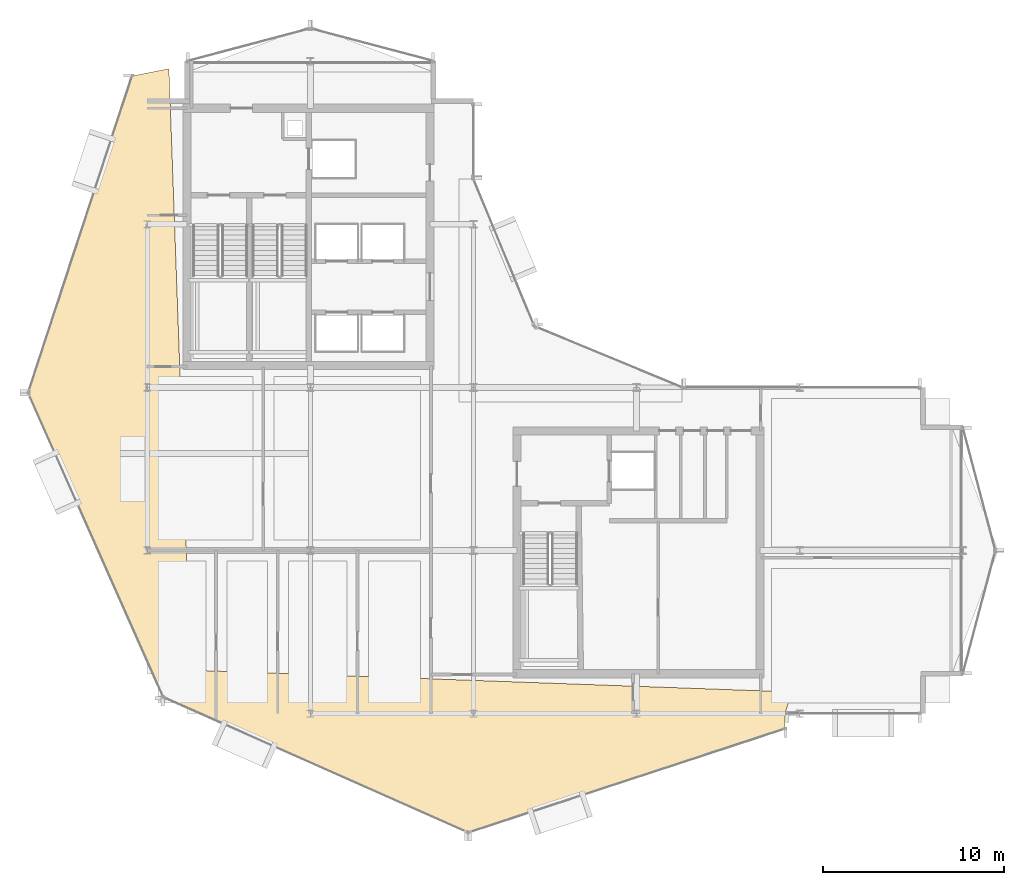
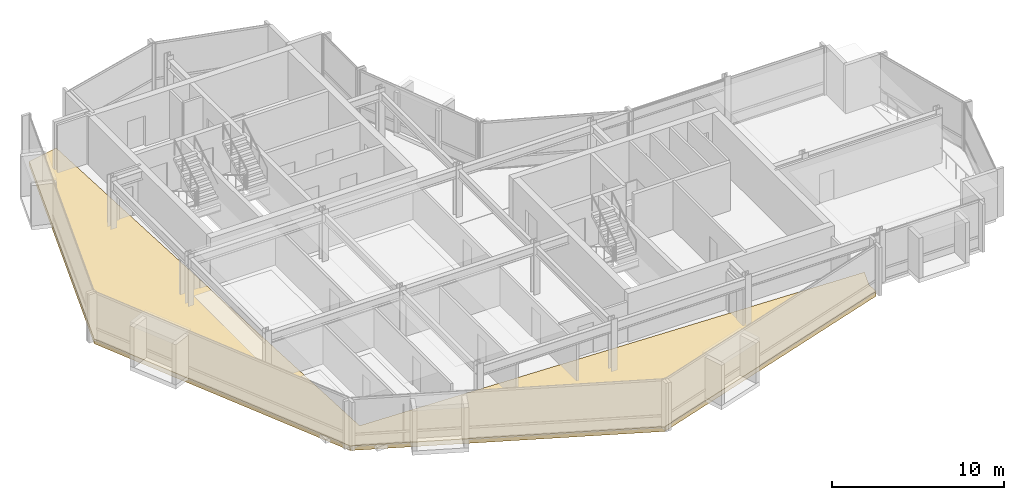
# One storey, part 24 of 27: 1 covering.
"""IFC4 building model written with IfcOpenShell, lengths in metres."""

from ifc_helpers import new_model, si_unit, direction, frame, origin, place, context, subcontext, project, spatial, polyline, outline, extrude, material, layer, layer_set, type_object, element, save


model = new_model("IFC4")

# Units and contexts
model_context = context("Model", 3, precision=1e-05, world=origin(), true_north=direction((0.0, 1.0)))
body_context = subcontext(model_context, "Body", "Model", "MODEL_VIEW")
ifc_project = project(units=[si_unit("LENGTHUNIT", "METRE"), si_unit("AREAUNIT", "SQUARE_METRE"), si_unit("VOLUMEUNIT", "CUBIC_METRE"), si_unit("PLANEANGLEUNIT", "RADIAN"), si_unit("MASSUNIT", "GRAM", prefix="KILO")], contexts=[model_context])

# Site, building, storey
site_placement = place(None, origin())
site = spatial("IfcSite", under=ifc_project, at=site_placement, CompositionType="ELEMENT")
building_placement = place(site_placement, origin())
building = spatial("IfcBuilding", under=site, at=building_placement, Name="Solvaryn Broadcast Tower", CompositionType="ELEMENT")
storey_placement = place(building_placement, frame((0.0, 0.0, 224.699951171875)))
storey = spatial("IfcBuildingStorey", under=building, at=storey_placement, Name="L56", CompositionType="ELEMENT", Elevation=224.699951171875)

# Covering
ifc_material = material(Name="Sculpted Architectural Terracotta Wave Fascia", Category="masonry")
ifc_layer = layer(ifc_material, 0.340087890625)
ifc_layer_set = layer_set([ifc_layer], Name="CV-WAVE-TRAY")
covering_type = type_object("IfcCoveringType", Name="CV-WAVE-TRAY", PredefinedType="CLADDING", material=ifc_layer_set)
covering_placement = place(storey_placement, frame((0.0, 0.0, -0.300048828125)))
element("IfcCovering", 1, at=covering_placement, inside=storey, type_object=covering_type, Name="L56 Stepped Cylindrical Drum Floor Apron", PredefinedType="CLADDING", context=body_context, shape_type="SweptSolid", body=[
    extrude(outline(polyline([(10.199951171875, 44.58203125), (8.1630859375, 44.181884765625), (2.43310546875, 26.7060546875), (9.89794921875, 9.89794921875), (26.7060546875, 2.43310546875), (44.181884765625, 8.1630859375), (44.181884765625, 9.0), (44.58203125, 10.199951171875), (11.39990234375, 11.39990234375), (10.199951171875, 44.58203125)])), origin(), (0.0, 0.0, 1.0), 0.330078125),
])

save(model, "model.ifc")
